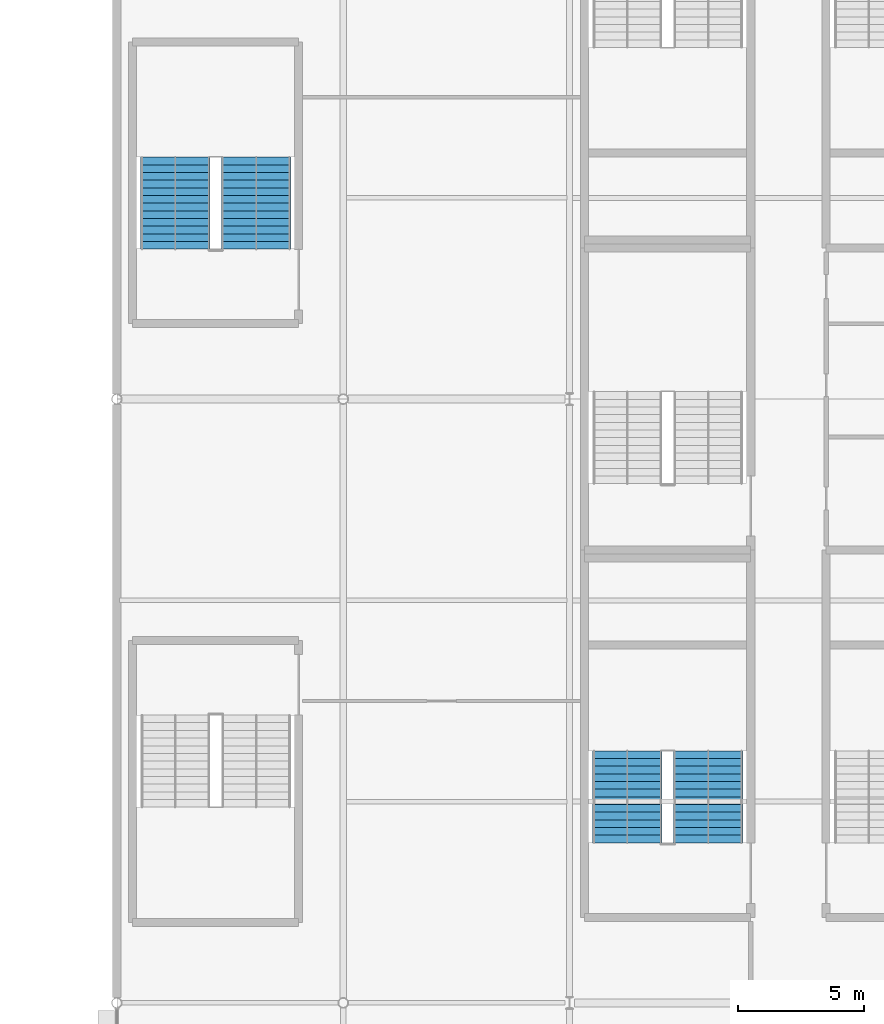
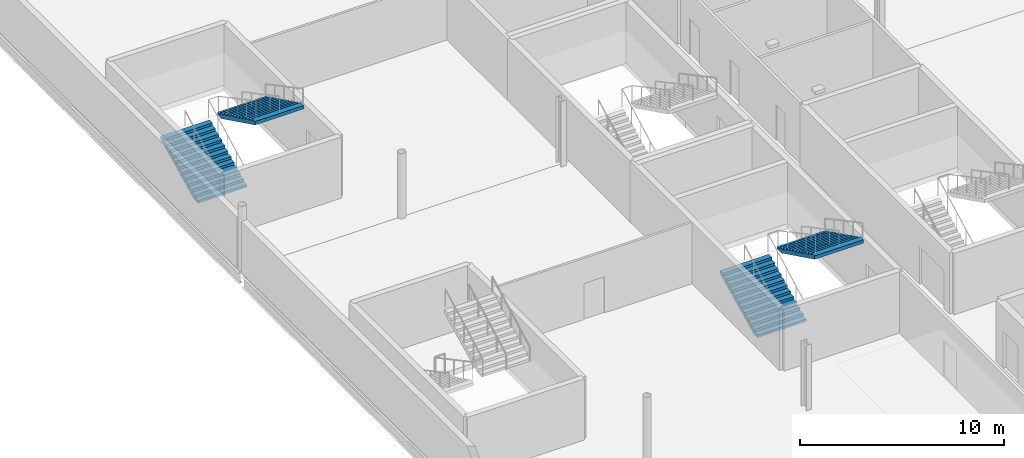
# One storey, part 84 of 96: 4 stair flights, 2 elements without a shape of their own.
"""IFC4 building model written with IfcOpenShell, lengths in metres."""

from ifc_helpers import new_model, si_unit, direction, frame, origin, place, context, subcontext, project, spatial, polygons, material, type_object, element, aggregate, save


model = new_model("IFC4")

# Units and contexts
model_context = context("Model", 3, precision=1e-05, world=origin(), true_north=direction((0.0, 1.0)))
body_context = subcontext(model_context, "Body", "Model", "MODEL_VIEW")
ifc_project = project(units=[si_unit("LENGTHUNIT", "METRE"), si_unit("AREAUNIT", "SQUARE_METRE"), si_unit("VOLUMEUNIT", "CUBIC_METRE"), si_unit("PLANEANGLEUNIT", "RADIAN"), si_unit("MASSUNIT", "GRAM", prefix="KILO")], contexts=[model_context])

# Site, building, storey
site_placement = place(None, origin())
site = spatial("IfcSite", under=ifc_project, at=site_placement, CompositionType="ELEMENT")
building_placement = place(site_placement, origin())
building = spatial("IfcBuilding", under=site, at=building_placement, Name="Kisiwana Market Hall", CompositionType="ELEMENT")
storey_placement = place(building_placement, frame((0.0, 0.0, 25.5)))
storey = spatial("IfcBuildingStorey", under=building, at=storey_placement, Name="L05", CompositionType="ELEMENT", Elevation=25.5)

# Stair, stair flights
ifc_material_1 = material(Name="Concrete C32/40", Category="concrete")
stair_type = type_object("IfcStairType", Name="ST-ESC-3900", PredefinedType="TWO_STRAIGHT_RUN_STAIR", material=ifc_material_1)
stair_1_placement = place(storey_placement, origin())
stair_1 = element("IfcStair", 1, at=stair_1_placement, inside=storey, type_object=stair_type, Name="Escape stair ST-E7-L05", PredefinedType="TWO_STRAIGHT_RUN_STAIR")
ifc_material_2 = material(Name="Concrete C32/40", Category="concrete")
stair_flight_type = type_object("IfcStairFlightType", Name="SF-ESC-3900", PredefinedType="STRAIGHT", material=ifc_material_2)
stair_flight_1_placement = place(storey_placement, frame((173.2900390625, 42.360107421875, 0.0), z_axis=(0.0, 0.0, 1.0), x_axis=(0.0, 1.0, 0.0)))
stair_flight_1 = element("IfcStairFlight", 2, at=stair_flight_1_placement, type_object=stair_flight_type, Name="ST-E7-L05 flight 1", NumberOfRisers=13, NumberOfTreads=12, PredefinedType="STRAIGHT", RiserHeight=0.15, TreadLength=0.305, context=body_context, shape_type="Tessellation", body=[
    polygons([(0.0, -1.380127, 0.0), (0.0, -0.690125, 0.0), (0.0, -0.000122, 0.0), (0.0, 0.68988, 0.0), (0.0, 1.379883, 0.0), (0.0, -1.380127, 0.149902), (0.0, -0.690125, 0.149902), (0.0, -0.000122, 0.149902), (0.0, 0.68988, 0.149902), (0.0, 1.379883, 0.149902), (0.304932, -1.380127, 0.149902), (0.304932, -0.690125, 0.149902), (0.304932, -0.000122, 0.149902), (0.304932, 0.68988, 0.149902), (0.304932, 1.379883, 0.149902), (0.304932, -1.380127, 0.300049), (0.304932, -0.690125, 0.300049), (0.304932, -0.000122, 0.300049), (0.304932, 0.68988, 0.300049), (0.304932, 1.379883, 0.300049), (0.610107, -1.380127, 0.300049), (0.610107, -0.690125, 0.300049), (0.610107, -0.000122, 0.300049), (0.610107, 0.68988, 0.300049), (0.610107, 1.379883, 0.300049), (0.610107, -1.380127, 0.449951), (0.610107, -0.690125, 0.449951), (0.610107, -0.000122, 0.449951), (0.610107, 0.68988, 0.449951), (0.610107, 1.379883, 0.449951), (0.915039, -1.380127, 0.449951), (0.915039, -0.690125, 0.449951), (0.915039, -0.000122, 0.449951), (0.915039, 0.68988, 0.449951), (0.915039, 1.379883, 0.449951), (0.915039, -1.380127, 0.600098), (0.915039, -0.690125, 0.600098), (0.915039, -0.000122, 0.600098), (0.915039, 0.68988, 0.600098), (0.915039, 1.379883, 0.600098), (1.219971, -1.380127, 0.600098), (1.219971, -0.690125, 0.600098), (1.219971, -0.000122, 0.600098), (1.219971, 0.68988, 0.600098), (1.219971, 1.379883, 0.600098), (1.219971, -1.380127, 0.75), (1.219971, -0.690125, 0.75), (1.219971, -0.000122, 0.75), (1.219971, 0.68988, 0.75), (1.219971, 1.379883, 0.75), (1.524902, -1.380127, 0.75), (1.524902, -0.690125, 0.75), (1.524902, -0.000122, 0.75), (1.524902, 0.68988, 0.75), (1.524902, 1.379883, 0.75), (1.524902, -1.380127, 0.899902), (1.524902, -0.690125, 0.899902), (1.524902, -0.000122, 0.899902), (1.524902, 0.68988, 0.899902), (1.524902, 1.379883, 0.899902), (1.830078, -1.380127, 0.899902), (1.830078, -0.690125, 0.899902), (1.830078, -0.000122, 0.899902), (1.830078, 0.68988, 0.899902), (1.830078, 1.379883, 0.899902), (1.830078, -1.380127, 1.050049), (1.830078, -0.690125, 1.050049), (1.830078, -0.000122, 1.050049), (1.830078, 0.68988, 1.050049), (1.830078, 1.379883, 1.050049), (2.13501, -1.380127, 1.050049), (2.13501, -0.690125, 1.050049), (2.13501, -0.000122, 1.050049), (2.13501, 0.68988, 1.050049), (2.13501, 1.379883, 1.050049), (2.13501, -1.380127, 1.199951), (2.13501, -0.690125, 1.199951), (2.13501, -0.000122, 1.199951), (2.13501, 0.68988, 1.199951), (2.13501, 1.379883, 1.199951), (2.439941, -1.380127, 1.199951), (2.439941, -0.690125, 1.199951), (2.439941, -0.000122, 1.199951), (2.439941, 0.68988, 1.199951), (2.439941, 1.379883, 1.199951), (2.439941, -1.380127, 1.350098), (2.439941, -0.690125, 1.350098), (2.439941, -0.000122, 1.350098), (2.439941, 0.68988, 1.350098), (2.439941, 1.379883, 1.350098), (2.745117, -1.380127, 1.350098), (2.745117, -0.690125, 1.350098), (2.745117, -0.000122, 1.350098), (2.745117, 0.68988, 1.350098), (2.745117, 1.379883, 1.350098), (2.745117, -1.380127, 1.5), (2.745117, -0.690125, 1.5), (2.745117, -0.000122, 1.5), (2.745117, 0.68988, 1.5), (2.745117, 1.379883, 1.5), (3.050049, -1.380127, 1.5), (3.050049, -0.690125, 1.5), (3.050049, -0.000122, 1.5), (3.050049, 0.68988, 1.5), (3.050049, 1.379883, 1.5), (3.050049, -1.380127, 1.649902), (3.050049, -0.690125, 1.649902), (3.050049, -0.000122, 1.649902), (3.050049, 0.68988, 1.649902), (3.050049, 1.379883, 1.649902), (3.35498, -1.380127, 1.649902), (3.35498, -0.690125, 1.649902), (3.35498, -0.000122, 1.649902), (3.35498, 0.68988, 1.649902), (3.35498, 1.379883, 1.649902), (3.35498, -1.380127, 1.800049), (3.35498, -0.690125, 1.800049), (3.35498, -0.000122, 1.800049), (3.35498, 0.68988, 1.800049), (3.35498, 1.379883, 1.800049), (3.659912, -1.380127, 1.800049), (3.659912, -0.690125, 1.800049), (3.659912, -0.000122, 1.800049), (3.659912, 0.68988, 1.800049), (3.659912, 1.379883, 1.800049), (3.659912, -1.380127, 1.599365), (3.659912, -0.690125, 1.599365), (3.659912, -0.000122, 1.599365), (3.659912, 0.68988, 1.599365), (3.659912, 1.379883, 1.599365), (0.407715, -1.380127, 0.0), (0.407715, -0.690125, 0.0), (0.407715, -0.000122, 0.0), (0.407715, 0.68988, 0.0), (0.407715, 1.379883, 0.0)], [[[1, 6, 7, 2]], [[2, 7, 8, 3]], [[3, 8, 9, 4]], [[4, 9, 10, 5]], [[6, 11, 12, 7]], [[7, 12, 13, 8]], [[8, 13, 14, 9]], [[9, 14, 15, 10]], [[11, 16, 17, 12]], [[12, 17, 18, 13]], [[13, 18, 19, 14]], [[14, 19, 20, 15]], [[16, 21, 22, 17]], [[17, 22, 23, 18]], [[18, 23, 24, 19]], [[19, 24, 25, 20]], [[21, 26, 27, 22]], [[22, 27, 28, 23]], [[23, 28, 29, 24]], [[24, 29, 30, 25]], [[26, 31, 32, 27]], [[27, 32, 33, 28]], [[28, 33, 34, 29]], [[29, 34, 35, 30]], [[31, 36, 37, 32]], [[32, 37, 38, 33]], [[33, 38, 39, 34]], [[34, 39, 40, 35]], [[36, 41, 42, 37]], [[37, 42, 43, 38]], [[38, 43, 44, 39]], [[39, 44, 45, 40]], [[41, 46, 47, 42]], [[42, 47, 48, 43]], [[43, 48, 49, 44]], [[44, 49, 50, 45]], [[46, 51, 52, 47]], [[47, 52, 53, 48]], [[48, 53, 54, 49]], [[49, 54, 55, 50]], [[51, 56, 57, 52]], [[52, 57, 58, 53]], [[53, 58, 59, 54]], [[54, 59, 60, 55]], [[56, 61, 62, 57]], [[57, 62, 63, 58]], [[58, 63, 64, 59]], [[59, 64, 65, 60]], [[61, 66, 67, 62]], [[62, 67, 68, 63]], [[63, 68, 69, 64]], [[64, 69, 70, 65]], [[66, 71, 72, 67]], [[67, 72, 73, 68]], [[68, 73, 74, 69]], [[69, 74, 75, 70]], [[71, 76, 77, 72]], [[72, 77, 78, 73]], [[73, 78, 79, 74]], [[74, 79, 80, 75]], [[76, 81, 82, 77]], [[77, 82, 83, 78]], [[78, 83, 84, 79]], [[79, 84, 85, 80]], [[81, 86, 87, 82]], [[82, 87, 88, 83]], [[83, 88, 89, 84]], [[84, 89, 90, 85]], [[86, 91, 92, 87]], [[87, 92, 93, 88]], [[88, 93, 94, 89]], [[89, 94, 95, 90]], [[91, 96, 97, 92]], [[92, 97, 98, 93]], [[93, 98, 99, 94]], [[94, 99, 100, 95]], [[96, 101, 102, 97]], [[97, 102, 103, 98]], [[98, 103, 104, 99]], [[99, 104, 105, 100]], [[101, 106, 107, 102]], [[102, 107, 108, 103]], [[103, 108, 109, 104]], [[104, 109, 110, 105]], [[106, 111, 112, 107]], [[107, 112, 113, 108]], [[108, 113, 114, 109]], [[109, 114, 115, 110]], [[111, 116, 117, 112]], [[112, 117, 118, 113]], [[113, 118, 119, 114]], [[114, 119, 120, 115]], [[116, 121, 122, 117]], [[117, 122, 123, 118]], [[118, 123, 124, 119]], [[119, 124, 125, 120]], [[121, 126, 127, 122]], [[122, 127, 128, 123]], [[123, 128, 129, 124]], [[124, 129, 130, 125]], [[126, 131, 132, 127]], [[127, 132, 133, 128]], [[128, 133, 134, 129]], [[129, 134, 135, 130]], [[131, 1, 2, 132]], [[132, 2, 3, 133]], [[133, 3, 4, 134]], [[134, 4, 5, 135]], [[131, 126, 121, 116, 111, 106, 101, 96, 91, 86, 81, 76, 71, 66, 61, 56, 51, 46, 41, 36, 31, 26, 21, 16, 11, 6, 1]], [[5, 10, 15, 20, 25, 30, 35, 40, 45, 50, 55, 60, 65, 70, 75, 80, 85, 90, 95, 100, 105, 110, 115, 120, 125, 130, 135]]], closed=True),
])
stair_flight_2_placement = place(storey_placement, frame((176.510009765625, 46.02001953125, 1.949951171875), z_axis=(0.0, 0.0, 1.0), x_axis=(0.0, -1.0, 0.0)))
stair_flight_2 = element("IfcStairFlight", 3, at=stair_flight_2_placement, type_object=stair_flight_type, Name="ST-E7-L05 flight 2", NumberOfRisers=13, NumberOfTreads=12, PredefinedType="STRAIGHT", RiserHeight=0.15, TreadLength=0.305, context=body_context, shape_type="Tessellation", body=[
    polygons([(0.0, -1.380127, 0.0), (0.0, -0.690125, 0.0), (0.0, -0.000122, 0.0), (0.0, 0.68988, 0.0), (0.0, 1.379883, 0.0), (0.0, -1.380127, 0.149902), (0.0, -0.690125, 0.149902), (0.0, -0.000122, 0.149902), (0.0, 0.68988, 0.149902), (0.0, 1.379883, 0.149902), (0.304932, -1.380127, 0.149902), (0.304932, -0.690125, 0.149902), (0.304932, -0.000122, 0.149902), (0.304932, 0.68988, 0.149902), (0.304932, 1.379883, 0.149902), (0.304932, -1.380127, 0.300049), (0.304932, -0.690125, 0.300049), (0.304932, -0.000122, 0.300049), (0.304932, 0.68988, 0.300049), (0.304932, 1.379883, 0.300049), (0.610107, -1.380127, 0.300049), (0.610107, -0.690125, 0.300049), (0.610107, -0.000122, 0.300049), (0.610107, 0.68988, 0.300049), (0.610107, 1.379883, 0.300049), (0.610107, -1.380127, 0.449951), (0.610107, -0.690125, 0.449951), (0.610107, -0.000122, 0.449951), (0.610107, 0.68988, 0.449951), (0.610107, 1.379883, 0.449951), (0.915039, -1.380127, 0.449951), (0.915039, -0.690125, 0.449951), (0.915039, -0.000122, 0.449951), (0.915039, 0.68988, 0.449951), (0.915039, 1.379883, 0.449951), (0.915039, -1.380127, 0.600098), (0.915039, -0.690125, 0.600098), (0.915039, -0.000122, 0.600098), (0.915039, 0.68988, 0.600098), (0.915039, 1.379883, 0.600098), (1.219971, -1.380127, 0.600098), (1.219971, -0.690125, 0.600098), (1.219971, -0.000122, 0.600098), (1.219971, 0.68988, 0.600098), (1.219971, 1.379883, 0.600098), (1.219971, -1.380127, 0.75), (1.219971, -0.690125, 0.75), (1.219971, -0.000122, 0.75), (1.219971, 0.68988, 0.75), (1.219971, 1.379883, 0.75), (1.524902, -1.380127, 0.75), (1.524902, -0.690125, 0.75), (1.524902, -0.000122, 0.75), (1.524902, 0.68988, 0.75), (1.524902, 1.379883, 0.75), (1.524902, -1.380127, 0.899902), (1.524902, -0.690125, 0.899902), (1.524902, -0.000122, 0.899902), (1.524902, 0.68988, 0.899902), (1.524902, 1.379883, 0.899902), (1.830078, -1.380127, 0.899902), (1.830078, -0.690125, 0.899902), (1.830078, -0.000122, 0.899902), (1.830078, 0.68988, 0.899902), (1.830078, 1.379883, 0.899902), (1.830078, -1.380127, 1.050049), (1.830078, -0.690125, 1.050049), (1.830078, -0.000122, 1.050049), (1.830078, 0.68988, 1.050049), (1.830078, 1.379883, 1.050049), (2.13501, -1.380127, 1.050049), (2.13501, -0.690125, 1.050049), (2.13501, -0.000122, 1.050049), (2.13501, 0.68988, 1.050049), (2.13501, 1.379883, 1.050049), (2.13501, -1.380127, 1.199951), (2.13501, -0.690125, 1.199951), (2.13501, -0.000122, 1.199951), (2.13501, 0.68988, 1.199951), (2.13501, 1.379883, 1.199951), (2.439941, -1.380127, 1.199951), (2.439941, -0.690125, 1.199951), (2.439941, -0.000122, 1.199951), (2.439941, 0.68988, 1.199951), (2.439941, 1.379883, 1.199951), (2.439941, -1.380127, 1.350098), (2.439941, -0.690125, 1.350098), (2.439941, -0.000122, 1.350098), (2.439941, 0.68988, 1.350098), (2.439941, 1.379883, 1.350098), (2.745117, -1.380127, 1.350098), (2.745117, -0.690125, 1.350098), (2.745117, -0.000122, 1.350098), (2.745117, 0.68988, 1.350098), (2.745117, 1.379883, 1.350098), (2.745117, -1.380127, 1.5), (2.745117, -0.690125, 1.5), (2.745117, -0.000122, 1.5), (2.745117, 0.68988, 1.5), (2.745117, 1.379883, 1.5), (3.050049, -1.380127, 1.5), (3.050049, -0.690125, 1.5), (3.050049, -0.000122, 1.5), (3.050049, 0.68988, 1.5), (3.050049, 1.379883, 1.5), (3.050049, -1.380127, 1.649902), (3.050049, -0.690125, 1.649902), (3.050049, -0.000122, 1.649902), (3.050049, 0.68988, 1.649902), (3.050049, 1.379883, 1.649902), (3.35498, -1.380127, 1.649902), (3.35498, -0.690125, 1.649902), (3.35498, -0.000122, 1.649902), (3.35498, 0.68988, 1.649902), (3.35498, 1.379883, 1.649902), (3.35498, -1.380127, 1.800049), (3.35498, -0.690125, 1.800049), (3.35498, -0.000122, 1.800049), (3.35498, 0.68988, 1.800049), (3.35498, 1.379883, 1.800049), (3.659912, -1.380127, 1.800049), (3.659912, -0.690125, 1.800049), (3.659912, -0.000122, 1.800049), (3.659912, 0.68988, 1.800049), (3.659912, 1.379883, 1.800049), (3.659912, -1.380127, 1.599365), (3.659912, -0.690125, 1.599365), (3.659912, -0.000122, 1.599365), (3.659912, 0.68988, 1.599365), (3.659912, 1.379883, 1.599365), (0.407715, -1.380127, 0.0), (0.407715, -0.690125, 0.0), (0.407715, -0.000122, 0.0), (0.407715, 0.68988, 0.0), (0.407715, 1.379883, 0.0)], [[[1, 6, 7, 2]], [[2, 7, 8, 3]], [[3, 8, 9, 4]], [[4, 9, 10, 5]], [[6, 11, 12, 7]], [[7, 12, 13, 8]], [[8, 13, 14, 9]], [[9, 14, 15, 10]], [[11, 16, 17, 12]], [[12, 17, 18, 13]], [[13, 18, 19, 14]], [[14, 19, 20, 15]], [[16, 21, 22, 17]], [[17, 22, 23, 18]], [[18, 23, 24, 19]], [[19, 24, 25, 20]], [[21, 26, 27, 22]], [[22, 27, 28, 23]], [[23, 28, 29, 24]], [[24, 29, 30, 25]], [[26, 31, 32, 27]], [[27, 32, 33, 28]], [[28, 33, 34, 29]], [[29, 34, 35, 30]], [[31, 36, 37, 32]], [[32, 37, 38, 33]], [[33, 38, 39, 34]], [[34, 39, 40, 35]], [[36, 41, 42, 37]], [[37, 42, 43, 38]], [[38, 43, 44, 39]], [[39, 44, 45, 40]], [[41, 46, 47, 42]], [[42, 47, 48, 43]], [[43, 48, 49, 44]], [[44, 49, 50, 45]], [[46, 51, 52, 47]], [[47, 52, 53, 48]], [[48, 53, 54, 49]], [[49, 54, 55, 50]], [[51, 56, 57, 52]], [[52, 57, 58, 53]], [[53, 58, 59, 54]], [[54, 59, 60, 55]], [[56, 61, 62, 57]], [[57, 62, 63, 58]], [[58, 63, 64, 59]], [[59, 64, 65, 60]], [[61, 66, 67, 62]], [[62, 67, 68, 63]], [[63, 68, 69, 64]], [[64, 69, 70, 65]], [[66, 71, 72, 67]], [[67, 72, 73, 68]], [[68, 73, 74, 69]], [[69, 74, 75, 70]], [[71, 76, 77, 72]], [[72, 77, 78, 73]], [[73, 78, 79, 74]], [[74, 79, 80, 75]], [[76, 81, 82, 77]], [[77, 82, 83, 78]], [[78, 83, 84, 79]], [[79, 84, 85, 80]], [[81, 86, 87, 82]], [[82, 87, 88, 83]], [[83, 88, 89, 84]], [[84, 89, 90, 85]], [[86, 91, 92, 87]], [[87, 92, 93, 88]], [[88, 93, 94, 89]], [[89, 94, 95, 90]], [[91, 96, 97, 92]], [[92, 97, 98, 93]], [[93, 98, 99, 94]], [[94, 99, 100, 95]], [[96, 101, 102, 97]], [[97, 102, 103, 98]], [[98, 103, 104, 99]], [[99, 104, 105, 100]], [[101, 106, 107, 102]], [[102, 107, 108, 103]], [[103, 108, 109, 104]], [[104, 109, 110, 105]], [[106, 111, 112, 107]], [[107, 112, 113, 108]], [[108, 113, 114, 109]], [[109, 114, 115, 110]], [[111, 116, 117, 112]], [[112, 117, 118, 113]], [[113, 118, 119, 114]], [[114, 119, 120, 115]], [[116, 121, 122, 117]], [[117, 122, 123, 118]], [[118, 123, 124, 119]], [[119, 124, 125, 120]], [[121, 126, 127, 122]], [[122, 127, 128, 123]], [[123, 128, 129, 124]], [[124, 129, 130, 125]], [[126, 131, 132, 127]], [[127, 132, 133, 128]], [[128, 133, 134, 129]], [[129, 134, 135, 130]], [[131, 1, 2, 132]], [[132, 2, 3, 133]], [[133, 3, 4, 134]], [[134, 4, 5, 135]], [[131, 126, 121, 116, 111, 106, 101, 96, 91, 86, 81, 76, 71, 66, 61, 56, 51, 46, 41, 36, 31, 26, 21, 16, 11, 6, 1]], [[5, 10, 15, 20, 25, 30, 35, 40, 45, 50, 55, 60, 65, 70, 75, 80, 85, 90, 95, 100, 105, 110, 115, 120, 125, 130, 135]]], closed=True),
])
aggregate(stair_1, [stair_flight_1, stair_flight_2])

stair_2_placement = place(storey_placement, origin())
stair_2 = element("IfcStair", 4, at=stair_2_placement, inside=storey, type_object=stair_type, Name="Escape stair ST-E10-L05", PredefinedType="TWO_STRAIGHT_RUN_STAIR")
stair_flight_3_placement = place(storey_placement, frame((155.320068359375, 65.9599609375, 0.0), z_axis=(0.0, 0.0, 1.0), x_axis=(0.0, 1.0, 0.0)))
stair_flight_3 = element("IfcStairFlight", 5, at=stair_flight_3_placement, type_object=stair_flight_type, Name="ST-E10-L05 flight 1", NumberOfRisers=13, NumberOfTreads=12, PredefinedType="STRAIGHT", RiserHeight=0.15, TreadLength=0.305, context=body_context, shape_type="Tessellation", body=[
    polygons([(0.0, -1.380127, 0.0), (0.0, -0.690125, 0.0), (0.0, -0.000122, 0.0), (0.0, 0.68988, 0.0), (0.0, 1.379883, 0.0), (0.0, -1.380127, 0.149902), (0.0, -0.690125, 0.149902), (0.0, -0.000122, 0.149902), (0.0, 0.68988, 0.149902), (0.0, 1.379883, 0.149902), (0.304932, -1.380127, 0.149902), (0.304932, -0.690125, 0.149902), (0.304932, -0.000122, 0.149902), (0.304932, 0.68988, 0.149902), (0.304932, 1.379883, 0.149902), (0.304932, -1.380127, 0.300049), (0.304932, -0.690125, 0.300049), (0.304932, -0.000122, 0.300049), (0.304932, 0.68988, 0.300049), (0.304932, 1.379883, 0.300049), (0.610107, -1.380127, 0.300049), (0.610107, -0.690125, 0.300049), (0.610107, -0.000122, 0.300049), (0.610107, 0.68988, 0.300049), (0.610107, 1.379883, 0.300049), (0.610107, -1.380127, 0.449951), (0.610107, -0.690125, 0.449951), (0.610107, -0.000122, 0.449951), (0.610107, 0.68988, 0.449951), (0.610107, 1.379883, 0.449951), (0.915039, -1.380127, 0.449951), (0.915039, -0.690125, 0.449951), (0.915039, -0.000122, 0.449951), (0.915039, 0.68988, 0.449951), (0.915039, 1.379883, 0.449951), (0.915039, -1.380127, 0.600098), (0.915039, -0.690125, 0.600098), (0.915039, -0.000122, 0.600098), (0.915039, 0.68988, 0.600098), (0.915039, 1.379883, 0.600098), (1.219971, -1.380127, 0.600098), (1.219971, -0.690125, 0.600098), (1.219971, -0.000122, 0.600098), (1.219971, 0.68988, 0.600098), (1.219971, 1.379883, 0.600098), (1.219971, -1.380127, 0.75), (1.219971, -0.690125, 0.75), (1.219971, -0.000122, 0.75), (1.219971, 0.68988, 0.75), (1.219971, 1.379883, 0.75), (1.524902, -1.380127, 0.75), (1.524902, -0.690125, 0.75), (1.524902, -0.000122, 0.75), (1.524902, 0.68988, 0.75), (1.524902, 1.379883, 0.75), (1.524902, -1.380127, 0.899902), (1.524902, -0.690125, 0.899902), (1.524902, -0.000122, 0.899902), (1.524902, 0.68988, 0.899902), (1.524902, 1.379883, 0.899902), (1.830078, -1.380127, 0.899902), (1.830078, -0.690125, 0.899902), (1.830078, -0.000122, 0.899902), (1.830078, 0.68988, 0.899902), (1.830078, 1.379883, 0.899902), (1.830078, -1.380127, 1.050049), (1.830078, -0.690125, 1.050049), (1.830078, -0.000122, 1.050049), (1.830078, 0.68988, 1.050049), (1.830078, 1.379883, 1.050049), (2.13501, -1.380127, 1.050049), (2.13501, -0.690125, 1.050049), (2.13501, -0.000122, 1.050049), (2.13501, 0.68988, 1.050049), (2.13501, 1.379883, 1.050049), (2.13501, -1.380127, 1.199951), (2.13501, -0.690125, 1.199951), (2.13501, -0.000122, 1.199951), (2.13501, 0.68988, 1.199951), (2.13501, 1.379883, 1.199951), (2.439941, -1.380127, 1.199951), (2.439941, -0.690125, 1.199951), (2.439941, -0.000122, 1.199951), (2.439941, 0.68988, 1.199951), (2.439941, 1.379883, 1.199951), (2.439941, -1.380127, 1.350098), (2.439941, -0.690125, 1.350098), (2.439941, -0.000122, 1.350098), (2.439941, 0.68988, 1.350098), (2.439941, 1.379883, 1.350098), (2.745117, -1.380127, 1.350098), (2.745117, -0.690125, 1.350098), (2.745117, -0.000122, 1.350098), (2.745117, 0.68988, 1.350098), (2.745117, 1.379883, 1.350098), (2.745117, -1.380127, 1.5), (2.745117, -0.690125, 1.5), (2.745117, -0.000122, 1.5), (2.745117, 0.68988, 1.5), (2.745117, 1.379883, 1.5), (3.050049, -1.380127, 1.5), (3.050049, -0.690125, 1.5), (3.050049, -0.000122, 1.5), (3.050049, 0.68988, 1.5), (3.050049, 1.379883, 1.5), (3.050049, -1.380127, 1.649902), (3.050049, -0.690125, 1.649902), (3.050049, -0.000122, 1.649902), (3.050049, 0.68988, 1.649902), (3.050049, 1.379883, 1.649902), (3.35498, -1.380127, 1.649902), (3.35498, -0.690125, 1.649902), (3.35498, -0.000122, 1.649902), (3.35498, 0.68988, 1.649902), (3.35498, 1.379883, 1.649902), (3.35498, -1.380127, 1.800049), (3.35498, -0.690125, 1.800049), (3.35498, -0.000122, 1.800049), (3.35498, 0.68988, 1.800049), (3.35498, 1.379883, 1.800049), (3.659912, -1.380127, 1.800049), (3.659912, -0.690125, 1.800049), (3.659912, -0.000122, 1.800049), (3.659912, 0.68988, 1.800049), (3.659912, 1.379883, 1.800049), (3.659912, -1.380127, 1.599365), (3.659912, -0.690125, 1.599365), (3.659912, -0.000122, 1.599365), (3.659912, 0.68988, 1.599365), (3.659912, 1.379883, 1.599365), (0.407715, -1.380127, 0.0), (0.407715, -0.690125, 0.0), (0.407715, -0.000122, 0.0), (0.407715, 0.68988, 0.0), (0.407715, 1.379883, 0.0)], [[[1, 6, 7, 2]], [[2, 7, 8, 3]], [[3, 8, 9, 4]], [[4, 9, 10, 5]], [[6, 11, 12, 7]], [[7, 12, 13, 8]], [[8, 13, 14, 9]], [[9, 14, 15, 10]], [[11, 16, 17, 12]], [[12, 17, 18, 13]], [[13, 18, 19, 14]], [[14, 19, 20, 15]], [[16, 21, 22, 17]], [[17, 22, 23, 18]], [[18, 23, 24, 19]], [[19, 24, 25, 20]], [[21, 26, 27, 22]], [[22, 27, 28, 23]], [[23, 28, 29, 24]], [[24, 29, 30, 25]], [[26, 31, 32, 27]], [[27, 32, 33, 28]], [[28, 33, 34, 29]], [[29, 34, 35, 30]], [[31, 36, 37, 32]], [[32, 37, 38, 33]], [[33, 38, 39, 34]], [[34, 39, 40, 35]], [[36, 41, 42, 37]], [[37, 42, 43, 38]], [[38, 43, 44, 39]], [[39, 44, 45, 40]], [[41, 46, 47, 42]], [[42, 47, 48, 43]], [[43, 48, 49, 44]], [[44, 49, 50, 45]], [[46, 51, 52, 47]], [[47, 52, 53, 48]], [[48, 53, 54, 49]], [[49, 54, 55, 50]], [[51, 56, 57, 52]], [[52, 57, 58, 53]], [[53, 58, 59, 54]], [[54, 59, 60, 55]], [[56, 61, 62, 57]], [[57, 62, 63, 58]], [[58, 63, 64, 59]], [[59, 64, 65, 60]], [[61, 66, 67, 62]], [[62, 67, 68, 63]], [[63, 68, 69, 64]], [[64, 69, 70, 65]], [[66, 71, 72, 67]], [[67, 72, 73, 68]], [[68, 73, 74, 69]], [[69, 74, 75, 70]], [[71, 76, 77, 72]], [[72, 77, 78, 73]], [[73, 78, 79, 74]], [[74, 79, 80, 75]], [[76, 81, 82, 77]], [[77, 82, 83, 78]], [[78, 83, 84, 79]], [[79, 84, 85, 80]], [[81, 86, 87, 82]], [[82, 87, 88, 83]], [[83, 88, 89, 84]], [[84, 89, 90, 85]], [[86, 91, 92, 87]], [[87, 92, 93, 88]], [[88, 93, 94, 89]], [[89, 94, 95, 90]], [[91, 96, 97, 92]], [[92, 97, 98, 93]], [[93, 98, 99, 94]], [[94, 99, 100, 95]], [[96, 101, 102, 97]], [[97, 102, 103, 98]], [[98, 103, 104, 99]], [[99, 104, 105, 100]], [[101, 106, 107, 102]], [[102, 107, 108, 103]], [[103, 108, 109, 104]], [[104, 109, 110, 105]], [[106, 111, 112, 107]], [[107, 112, 113, 108]], [[108, 113, 114, 109]], [[109, 114, 115, 110]], [[111, 116, 117, 112]], [[112, 117, 118, 113]], [[113, 118, 119, 114]], [[114, 119, 120, 115]], [[116, 121, 122, 117]], [[117, 122, 123, 118]], [[118, 123, 124, 119]], [[119, 124, 125, 120]], [[121, 126, 127, 122]], [[122, 127, 128, 123]], [[123, 128, 129, 124]], [[124, 129, 130, 125]], [[126, 131, 132, 127]], [[127, 132, 133, 128]], [[128, 133, 134, 129]], [[129, 134, 135, 130]], [[131, 1, 2, 132]], [[132, 2, 3, 133]], [[133, 3, 4, 134]], [[134, 4, 5, 135]], [[131, 126, 121, 116, 111, 106, 101, 96, 91, 86, 81, 76, 71, 66, 61, 56, 51, 46, 41, 36, 31, 26, 21, 16, 11, 6, 1]], [[5, 10, 15, 20, 25, 30, 35, 40, 45, 50, 55, 60, 65, 70, 75, 80, 85, 90, 95, 100, 105, 110, 115, 120, 125, 130, 135]]], closed=True),
])
stair_flight_4_placement = place(storey_placement, frame((158.5400390625, 69.6201171875, 1.949951171875), z_axis=(0.0, 0.0, 1.0), x_axis=(0.0, -1.0, 0.0)))
stair_flight_4 = element("IfcStairFlight", 6, at=stair_flight_4_placement, type_object=stair_flight_type, Name="ST-E10-L05 flight 2", NumberOfRisers=13, NumberOfTreads=12, PredefinedType="STRAIGHT", RiserHeight=0.15, TreadLength=0.305, context=body_context, shape_type="Tessellation", body=[
    polygons([(0.0, -1.380127, 0.0), (0.0, -0.690125, 0.0), (0.0, -0.000122, 0.0), (0.0, 0.68988, 0.0), (0.0, 1.379883, 0.0), (0.0, -1.380127, 0.149902), (0.0, -0.690125, 0.149902), (0.0, -0.000122, 0.149902), (0.0, 0.68988, 0.149902), (0.0, 1.379883, 0.149902), (0.304932, -1.380127, 0.149902), (0.304932, -0.690125, 0.149902), (0.304932, -0.000122, 0.149902), (0.304932, 0.68988, 0.149902), (0.304932, 1.379883, 0.149902), (0.304932, -1.380127, 0.300049), (0.304932, -0.690125, 0.300049), (0.304932, -0.000122, 0.300049), (0.304932, 0.68988, 0.300049), (0.304932, 1.379883, 0.300049), (0.610107, -1.380127, 0.300049), (0.610107, -0.690125, 0.300049), (0.610107, -0.000122, 0.300049), (0.610107, 0.68988, 0.300049), (0.610107, 1.379883, 0.300049), (0.610107, -1.380127, 0.449951), (0.610107, -0.690125, 0.449951), (0.610107, -0.000122, 0.449951), (0.610107, 0.68988, 0.449951), (0.610107, 1.379883, 0.449951), (0.915039, -1.380127, 0.449951), (0.915039, -0.690125, 0.449951), (0.915039, -0.000122, 0.449951), (0.915039, 0.68988, 0.449951), (0.915039, 1.379883, 0.449951), (0.915039, -1.380127, 0.600098), (0.915039, -0.690125, 0.600098), (0.915039, -0.000122, 0.600098), (0.915039, 0.68988, 0.600098), (0.915039, 1.379883, 0.600098), (1.219971, -1.380127, 0.600098), (1.219971, -0.690125, 0.600098), (1.219971, -0.000122, 0.600098), (1.219971, 0.68988, 0.600098), (1.219971, 1.379883, 0.600098), (1.219971, -1.380127, 0.75), (1.219971, -0.690125, 0.75), (1.219971, -0.000122, 0.75), (1.219971, 0.68988, 0.75), (1.219971, 1.379883, 0.75), (1.524902, -1.380127, 0.75), (1.524902, -0.690125, 0.75), (1.524902, -0.000122, 0.75), (1.524902, 0.68988, 0.75), (1.524902, 1.379883, 0.75), (1.524902, -1.380127, 0.899902), (1.524902, -0.690125, 0.899902), (1.524902, -0.000122, 0.899902), (1.524902, 0.68988, 0.899902), (1.524902, 1.379883, 0.899902), (1.830078, -1.380127, 0.899902), (1.830078, -0.690125, 0.899902), (1.830078, -0.000122, 0.899902), (1.830078, 0.68988, 0.899902), (1.830078, 1.379883, 0.899902), (1.830078, -1.380127, 1.050049), (1.830078, -0.690125, 1.050049), (1.830078, -0.000122, 1.050049), (1.830078, 0.68988, 1.050049), (1.830078, 1.379883, 1.050049), (2.13501, -1.380127, 1.050049), (2.13501, -0.690125, 1.050049), (2.13501, -0.000122, 1.050049), (2.13501, 0.68988, 1.050049), (2.13501, 1.379883, 1.050049), (2.13501, -1.380127, 1.199951), (2.13501, -0.690125, 1.199951), (2.13501, -0.000122, 1.199951), (2.13501, 0.68988, 1.199951), (2.13501, 1.379883, 1.199951), (2.439941, -1.380127, 1.199951), (2.439941, -0.690125, 1.199951), (2.439941, -0.000122, 1.199951), (2.439941, 0.68988, 1.199951), (2.439941, 1.379883, 1.199951), (2.439941, -1.380127, 1.350098), (2.439941, -0.690125, 1.350098), (2.439941, -0.000122, 1.350098), (2.439941, 0.68988, 1.350098), (2.439941, 1.379883, 1.350098), (2.745117, -1.380127, 1.350098), (2.745117, -0.690125, 1.350098), (2.745117, -0.000122, 1.350098), (2.745117, 0.68988, 1.350098), (2.745117, 1.379883, 1.350098), (2.745117, -1.380127, 1.5), (2.745117, -0.690125, 1.5), (2.745117, -0.000122, 1.5), (2.745117, 0.68988, 1.5), (2.745117, 1.379883, 1.5), (3.050049, -1.380127, 1.5), (3.050049, -0.690125, 1.5), (3.050049, -0.000122, 1.5), (3.050049, 0.68988, 1.5), (3.050049, 1.379883, 1.5), (3.050049, -1.380127, 1.649902), (3.050049, -0.690125, 1.649902), (3.050049, -0.000122, 1.649902), (3.050049, 0.68988, 1.649902), (3.050049, 1.379883, 1.649902), (3.35498, -1.380127, 1.649902), (3.35498, -0.690125, 1.649902), (3.35498, -0.000122, 1.649902), (3.35498, 0.68988, 1.649902), (3.35498, 1.379883, 1.649902), (3.35498, -1.380127, 1.800049), (3.35498, -0.690125, 1.800049), (3.35498, -0.000122, 1.800049), (3.35498, 0.68988, 1.800049), (3.35498, 1.379883, 1.800049), (3.659912, -1.380127, 1.800049), (3.659912, -0.690125, 1.800049), (3.659912, -0.000122, 1.800049), (3.659912, 0.68988, 1.800049), (3.659912, 1.379883, 1.800049), (3.659912, -1.380127, 1.599365), (3.659912, -0.690125, 1.599365), (3.659912, -0.000122, 1.599365), (3.659912, 0.68988, 1.599365), (3.659912, 1.379883, 1.599365), (0.407715, -1.380127, 0.0), (0.407715, -0.690125, 0.0), (0.407715, -0.000122, 0.0), (0.407715, 0.68988, 0.0), (0.407715, 1.379883, 0.0)], [[[1, 6, 7, 2]], [[2, 7, 8, 3]], [[3, 8, 9, 4]], [[4, 9, 10, 5]], [[6, 11, 12, 7]], [[7, 12, 13, 8]], [[8, 13, 14, 9]], [[9, 14, 15, 10]], [[11, 16, 17, 12]], [[12, 17, 18, 13]], [[13, 18, 19, 14]], [[14, 19, 20, 15]], [[16, 21, 22, 17]], [[17, 22, 23, 18]], [[18, 23, 24, 19]], [[19, 24, 25, 20]], [[21, 26, 27, 22]], [[22, 27, 28, 23]], [[23, 28, 29, 24]], [[24, 29, 30, 25]], [[26, 31, 32, 27]], [[27, 32, 33, 28]], [[28, 33, 34, 29]], [[29, 34, 35, 30]], [[31, 36, 37, 32]], [[32, 37, 38, 33]], [[33, 38, 39, 34]], [[34, 39, 40, 35]], [[36, 41, 42, 37]], [[37, 42, 43, 38]], [[38, 43, 44, 39]], [[39, 44, 45, 40]], [[41, 46, 47, 42]], [[42, 47, 48, 43]], [[43, 48, 49, 44]], [[44, 49, 50, 45]], [[46, 51, 52, 47]], [[47, 52, 53, 48]], [[48, 53, 54, 49]], [[49, 54, 55, 50]], [[51, 56, 57, 52]], [[52, 57, 58, 53]], [[53, 58, 59, 54]], [[54, 59, 60, 55]], [[56, 61, 62, 57]], [[57, 62, 63, 58]], [[58, 63, 64, 59]], [[59, 64, 65, 60]], [[61, 66, 67, 62]], [[62, 67, 68, 63]], [[63, 68, 69, 64]], [[64, 69, 70, 65]], [[66, 71, 72, 67]], [[67, 72, 73, 68]], [[68, 73, 74, 69]], [[69, 74, 75, 70]], [[71, 76, 77, 72]], [[72, 77, 78, 73]], [[73, 78, 79, 74]], [[74, 79, 80, 75]], [[76, 81, 82, 77]], [[77, 82, 83, 78]], [[78, 83, 84, 79]], [[79, 84, 85, 80]], [[81, 86, 87, 82]], [[82, 87, 88, 83]], [[83, 88, 89, 84]], [[84, 89, 90, 85]], [[86, 91, 92, 87]], [[87, 92, 93, 88]], [[88, 93, 94, 89]], [[89, 94, 95, 90]], [[91, 96, 97, 92]], [[92, 97, 98, 93]], [[93, 98, 99, 94]], [[94, 99, 100, 95]], [[96, 101, 102, 97]], [[97, 102, 103, 98]], [[98, 103, 104, 99]], [[99, 104, 105, 100]], [[101, 106, 107, 102]], [[102, 107, 108, 103]], [[103, 108, 109, 104]], [[104, 109, 110, 105]], [[106, 111, 112, 107]], [[107, 112, 113, 108]], [[108, 113, 114, 109]], [[109, 114, 115, 110]], [[111, 116, 117, 112]], [[112, 117, 118, 113]], [[113, 118, 119, 114]], [[114, 119, 120, 115]], [[116, 121, 122, 117]], [[117, 122, 123, 118]], [[118, 123, 124, 119]], [[119, 124, 125, 120]], [[121, 126, 127, 122]], [[122, 127, 128, 123]], [[123, 128, 129, 124]], [[124, 129, 130, 125]], [[126, 131, 132, 127]], [[127, 132, 133, 128]], [[128, 133, 134, 129]], [[129, 134, 135, 130]], [[131, 1, 2, 132]], [[132, 2, 3, 133]], [[133, 3, 4, 134]], [[134, 4, 5, 135]], [[131, 126, 121, 116, 111, 106, 101, 96, 91, 86, 81, 76, 71, 66, 61, 56, 51, 46, 41, 36, 31, 26, 21, 16, 11, 6, 1]], [[5, 10, 15, 20, 25, 30, 35, 40, 45, 50, 55, 60, 65, 70, 75, 80, 85, 90, 95, 100, 105, 110, 115, 120, 125, 130, 135]]], closed=True),
])
aggregate(stair_2, [stair_flight_3, stair_flight_4])

save(model, "model.ifc")
